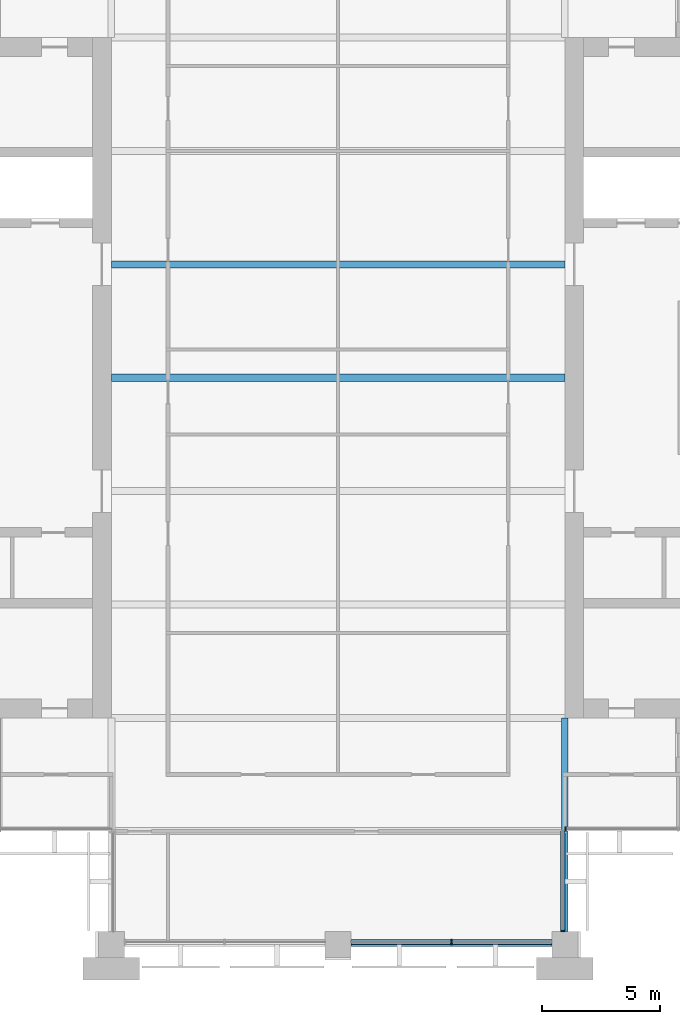
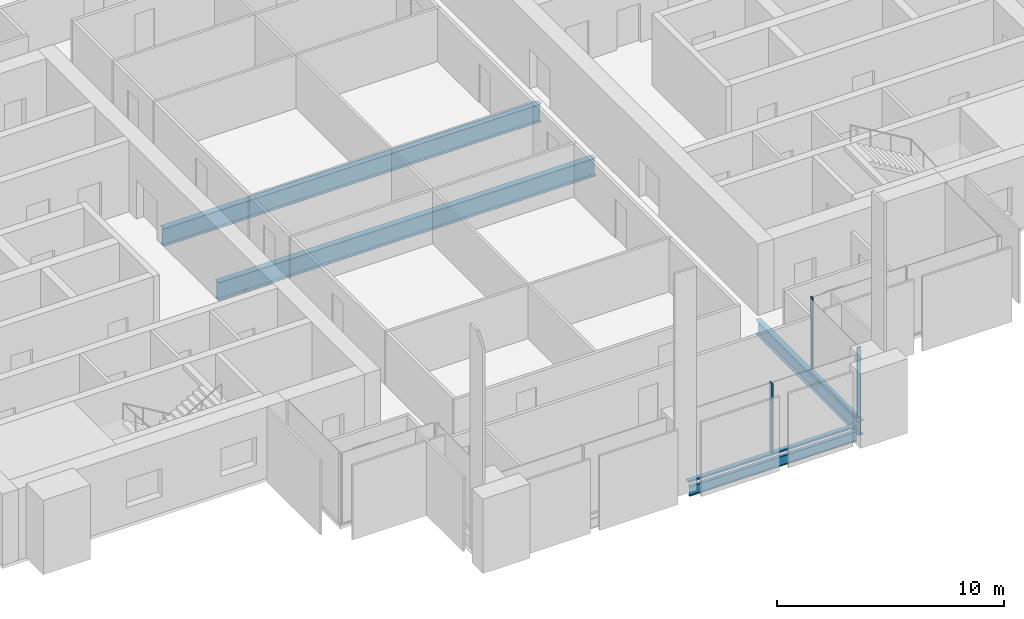
# One storey, part 3 of 13: 5 members, 4 beams, 3 elements without a shape of their own.
"""IFC4 building model written with IfcOpenShell, lengths in metres."""

from ifc_helpers import new_model, si_unit, direction, frame, origin, origin_2d, place, context, subcontext, project, spatial, rectangle, i_section, extrude, material, material_profile, profile_set, type_object, element, aggregate, save


model = new_model("IFC4")

# Units and contexts
model_context = context("Model", 3, precision=1e-05, world=origin(), true_north=direction((0.0, 1.0)))
body_context = subcontext(model_context, "Body", "Model", "MODEL_VIEW")
ifc_project = project(units=[si_unit("LENGTHUNIT", "METRE"), si_unit("AREAUNIT", "SQUARE_METRE"), si_unit("VOLUMEUNIT", "CUBIC_METRE"), si_unit("PLANEANGLEUNIT", "RADIAN"), si_unit("MASSUNIT", "GRAM", prefix="KILO")], contexts=[model_context])

# Site, building, storey
site_placement = place(None, origin())
site = spatial("IfcSite", under=ifc_project, at=site_placement, CompositionType="ELEMENT")
building_placement = place(site_placement, origin())
building = spatial("IfcBuilding", under=site, at=building_placement, Name="Baori Bourse Tower", CompositionType="ELEMENT")
storey_placement = place(building_placement, frame((0.0, 0.0, 225.199951171875)))
storey = spatial("IfcBuildingStorey", under=building, at=storey_placement, Name="L49", CompositionType="ELEMENT", Elevation=225.199951171875)

# Curtain wall, member
ifc_material_1 = material(Name="Pale anodised aluminium", Category="aluminium")
curtain_wall_type_1 = type_object("IfcCurtainWallType", Name="CW2 Curtain wall", PredefinedType="NOTDEFINED", material=ifc_material_1)
curtain_wall_1_placement = place(storey_placement, origin())
curtain_wall_1 = element("IfcCurtainWall", 1, at=curtain_wall_1_placement, inside=storey, type_object=curtain_wall_type_1, Name="Curtain wall CW2 L49 12", PredefinedType="NOTDEFINED")
ifc_material_2 = material(Name="Pale anodised aluminium", Category="aluminium")
ifc_material_profile_1 = material_profile(ifc_material_2, rectangle(XDim=0.179931640625, YDim=0.054931640625, at=origin_2d()), Name="Mullion 55x180")
ifc_profile_set_1 = profile_set([ifc_material_profile_1], Name="Pale anodised aluminium")
member_type_1 = type_object("IfcMemberType", Name="CW2 Curtain wall mullion", PredefinedType="MULLION", material=ifc_profile_set_1)
member_1_placement = place(storey_placement, frame((38.31005859375, 0.577392578125, 0.070068359375), z_axis=(0.0, 0.0, 1.0), x_axis=(-1.0, 0.0, 0.0)))
member_1 = element("IfcMember", 2, at=member_1_placement, type_object=member_type_1, Name="Curtain wall CW2 mullion", PredefinedType="MULLION", context=body_context, shape_type="SweptSolid", body=[
    extrude(rectangle(XDim=0.179931640625, YDim=0.054931640625, at=origin_2d()), origin(), (0.0, 0.0, 1.0), 3.77001953125),
])

curtain_wall_2_placement = place(storey_placement, origin())
curtain_wall_2 = element("IfcCurtainWall", 3, at=curtain_wall_2_placement, inside=storey, type_object=curtain_wall_type_1, Name="Curtain wall CW2 L49 13", PredefinedType="NOTDEFINED")
member_2_placement = place(storey_placement, frame((38.427490234375, 4.889892578125, 0.070068359375), z_axis=(0.0, 0.0, 1.0), x_axis=(0.0, 1.0, 0.0)))
member_2 = element("IfcMember", 4, at=member_2_placement, type_object=member_type_1, Name="Curtain wall CW2 mullion", PredefinedType="MULLION", context=body_context, shape_type="SweptSolid", body=[
    extrude(rectangle(XDim=0.179931640625, YDim=0.054931640625, at=origin_2d()), origin(), (0.0, 0.0, 1.0), 3.77001953125),
])
aggregate(curtain_wall_2, [member_2])

# Member
ifc_material_3 = material(Name="Pale anodised aluminium", Category="aluminium")
ifc_material_profile_2 = material_profile(ifc_material_3, rectangle(XDim=0.179931640625, YDim=0.070068359375, at=origin_2d()), Name="Transom 70x180")
ifc_profile_set_2 = profile_set([ifc_material_profile_2], Name="Pale anodised aluminium")
member_type_2 = type_object("IfcMemberType", Name="CW2 Curtain wall transom", PredefinedType="USERDEFINED", material=ifc_profile_set_2)
member_3_placement = place(storey_placement, frame((38.31005859375, 0.550048828125, 0.03515625), z_axis=(0.0, 1.0, 0.0), x_axis=(-1.0, 0.0, 0.0)))
member_3 = element("IfcMember", 5, at=member_3_placement, type_object=member_type_2, Name="Curtain wall CW2 sill rail", ObjectType="TRANSOM", PredefinedType="USERDEFINED", context=body_context, shape_type="SweptSolid", body=[
    extrude(rectangle(XDim=0.179931640625, YDim=0.070068359375, at=origin_2d()), origin(), (0.0, 0.0, 1.0), 4.25),
])

aggregate(curtain_wall_1, [member_3, member_1])

# Curtain wall, members
ifc_material_4 = material(Name="Pale anodised aluminium", Category="aluminium")
curtain_wall_type_2 = type_object("IfcCurtainWallType", Name="CW5 Curtain wall", PredefinedType="NOTDEFINED", material=ifc_material_4)
curtain_wall_3_placement = place(storey_placement, origin())
curtain_wall_3 = element("IfcCurtainWall", 6, at=curtain_wall_3_placement, inside=storey, type_object=curtain_wall_type_2, Name="Curtain wall CW5 L49 11", PredefinedType="NOTDEFINED")
ifc_material_5 = material(Name="Pale anodised aluminium", Category="aluminium")
ifc_material_profile_3 = material_profile(ifc_material_5, rectangle(XDim=0.219970703125, YDim=0.06494140625, at=origin_2d()), Name="Mullion 65x220")
ifc_profile_set_3 = profile_set([ifc_material_profile_3], Name="Pale anodised aluminium")
member_type_3 = type_object("IfcMemberType", Name="CW5 Curtain wall mullion", PredefinedType="MULLION", material=ifc_profile_set_3)
member_4_placement = place(storey_placement, frame((33.60009765625, 0.110107421875, 0.0849609375), z_axis=(0.0, 0.0, 1.0), x_axis=(0.0, 1.0, 0.0)))
member_4 = element("IfcMember", 7, at=member_4_placement, type_object=member_type_3, Name="Curtain wall CW5 mullion", PredefinedType="MULLION", context=body_context, shape_type="SweptSolid", body=[
    extrude(rectangle(XDim=0.219970703125, YDim=0.06494140625, at=origin_2d()), origin(), (0.0, 0.0, 1.0), 3.755126953125),
])
ifc_material_6 = material(Name="Pale anodised aluminium", Category="aluminium")
ifc_material_profile_4 = material_profile(ifc_material_6, rectangle(XDim=0.219970703125, YDim=0.0849609375, at=origin_2d()), Name="Transom 85x220")
ifc_profile_set_4 = profile_set([ifc_material_profile_4], Name="Pale anodised aluminium")
member_type_4 = type_object("IfcMemberType", Name="CW5 Curtain wall transom", PredefinedType="USERDEFINED", material=ifc_profile_set_4)
member_5_placement = place(storey_placement, frame((29.35009765625, 0.110107421875, 0.04248046875), z_axis=(1.0, 0.0, 0.0), x_axis=(0.0, 1.0, 0.0)))
member_5 = element("IfcMember", 8, at=member_5_placement, type_object=member_type_4, Name="Curtain wall CW5 sill rail", ObjectType="TRANSOM", PredefinedType="USERDEFINED", context=body_context, shape_type="SweptSolid", body=[
    extrude(rectangle(XDim=0.219970703125, YDim=0.0849609375, at=origin_2d()), origin(), (0.0, 0.0, 1.0), 8.5),
])
aggregate(curtain_wall_3, [member_5, member_4])

# Beams
ifc_material_7 = material(Name="Steel A992 Gr 50", Category="steel")
ifc_material_profile_5 = material_profile(ifc_material_7, i_section(OverallWidth=0.1650390625, OverallDepth=0.52587890625, WebThickness=0.0087890625, FlangeThickness=0.011474609375, at=origin_2d()), Name="W21x44")
ifc_profile_set_5 = profile_set([ifc_material_profile_5], Name="Steel A992 Gr 50")
beam_type_1 = type_object("IfcBeamType", Name="Edge beam W21x44", PredefinedType="BEAM", material=ifc_profile_set_5)
beam_1_placement = place(storey_placement, frame((29.35009765625, 0.0, -0.4228515625), z_axis=(1.0, 0.0, 0.0), x_axis=(0.0, 1.0, 0.0)))
element("IfcBeam", 9, at=beam_1_placement, inside=storey, type_object=beam_type_1, Name="Edge beam L49", PredefinedType="BEAM", context=body_context, shape_type="SweptSolid", body=[
    extrude(i_section(OverallWidth=0.1650390625, OverallDepth=0.52587890625, WebThickness=0.0087890625, FlangeThickness=0.011474609375, at=origin_2d()), origin(), (0.0, 0.0, 1.0), 8.5),
])
ifc_material_8 = material(Name="Steel A992 Gr 50", Category="steel")
ifc_material_profile_6 = material_profile(ifc_material_8, i_section(OverallWidth=0.2998046875, OverallDepth=0.97021484375, WebThickness=0.01611328125, FlangeThickness=0.02099609375, at=origin_2d()), Name="W40x149")
ifc_profile_set_6 = profile_set([ifc_material_profile_6], Name="Steel A992 Gr 50")
beam_type_2 = type_object("IfcBeamType", Name="Floor beam W40x149", PredefinedType="BEAM", material=ifc_profile_set_6)
for number, where, z_axis, x_axis, name in (
    (10, (19.199951171875, 24.0, -0.64501953125), (1.0, 0.0, 0.0), (0.0, 1.0, 0.0), "Floor beam L49"),
    (11, (19.199951171875, 28.800048828125, -0.64501953125), (1.0, 0.0, 0.0), (0.0, 1.0, 0.0), "Floor beam L49"),
):
    element("IfcBeam", number, at=place(storey_placement, frame(where, z_axis=z_axis, x_axis=x_axis)), inside=storey, type_object=beam_type_2, Name=name, PredefinedType="BEAM", context=body_context, shape_type="SweptSolid", body=[
        extrude(i_section(OverallWidth=0.2998046875, OverallDepth=0.97021484375, WebThickness=0.01611328125, FlangeThickness=0.02099609375, at=origin_2d()), origin(), (0.0, 0.0, 1.0), 19.199951171875),
    ])
ifc_material_9 = material(Name="Steel A992 Gr 50", Category="steel")
ifc_material_profile_7 = material_profile(ifc_material_9, i_section(OverallWidth=0.2666015625, OverallDepth=0.76953125, WebThickness=0.015625, FlangeThickness=0.025390625, at=origin_2d()), Name="W30x132")
ifc_profile_set_7 = profile_set([ifc_material_profile_7], Name="Steel A992 Gr 50")
beam_type_3 = type_object("IfcBeamType", Name="Girder W30x132", PredefinedType="BEAM", material=ifc_profile_set_7)
beam_2_placement = place(storey_placement, frame((38.39990234375, 0.550048828125, -0.544677734375), z_axis=(0.0, 1.0, 0.0), x_axis=(-1.0, 0.0, 0.0)))
element("IfcBeam", 12, at=beam_2_placement, inside=storey, type_object=beam_type_3, Name="Girder L49", PredefinedType="BEAM", context=body_context, shape_type="SweptSolid", body=[
    extrude(i_section(OverallWidth=0.2666015625, OverallDepth=0.76953125, WebThickness=0.015625, FlangeThickness=0.025390625, at=origin_2d()), origin(), (0.0, 0.0, 1.0), 9.050048828125),
])

save(model, "model.ifc")
